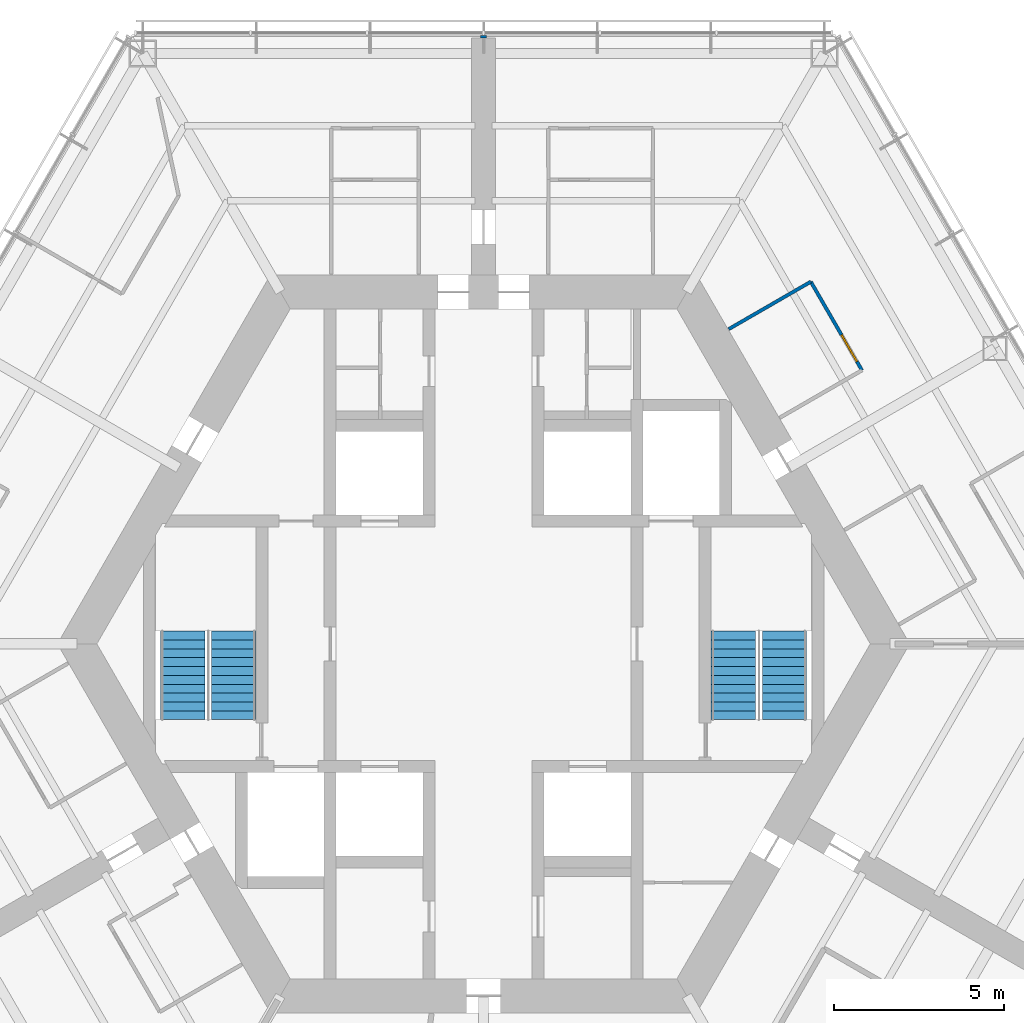
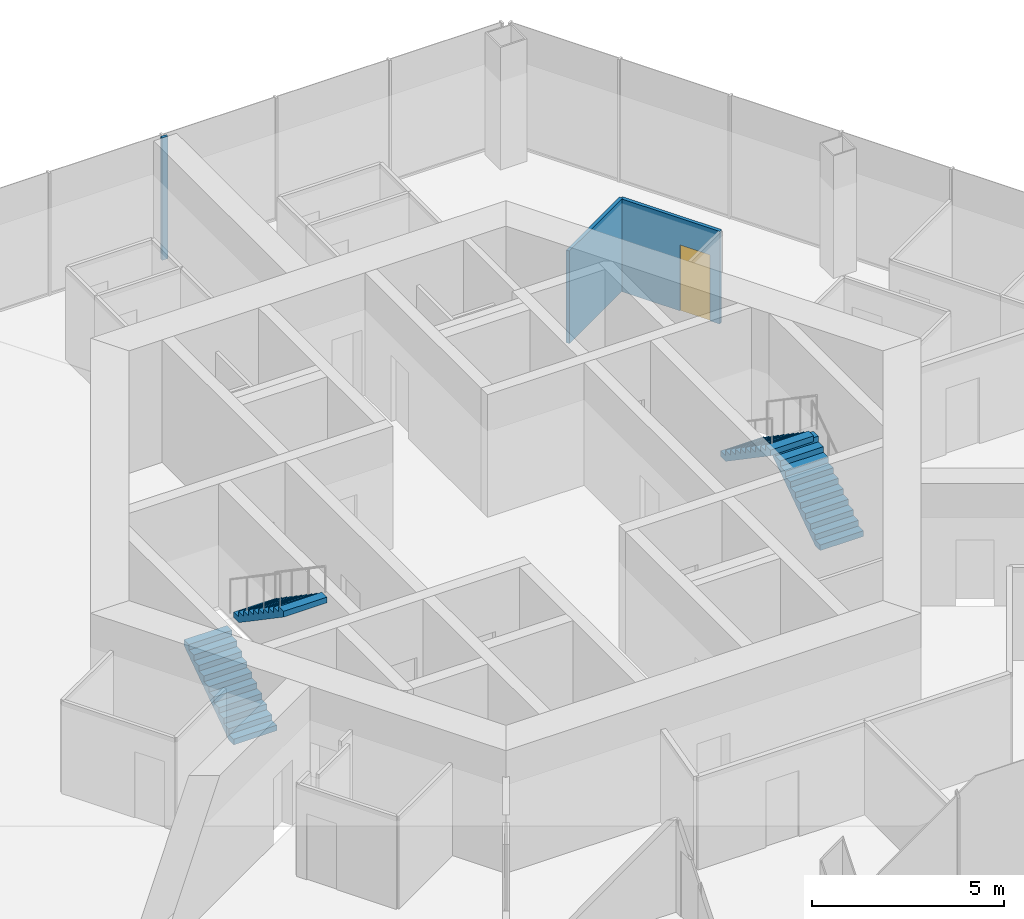
# One storey, part 15 of 18: 4 stair flights, 3 walls, 1 door, 1 opening, 2 elements without a shape of their own.
"""IFC4 building model written with IfcOpenShell, lengths in metres."""

import ifcopenshell
import ifcopenshell.guid

model = None  # the IFC model being written
_history = None  # IfcOwnerHistory: only IFC2X3 demands one
_inside = {}  # id of a spatial element -> (the spatial element, [elements in it])
_under = {}  # id of a project, library or spatial element -> (it, [spatial elements below it])
_declared = {}  # id of a project -> (the project, [libraries it declares])
_typed = {}  # id of a type object -> (the type object, [elements of that type])
_made_of = {}  # id of a material, layer set ... -> (it, [elements and type objects made of it])


def new_model(schema):
    """Start an empty IFC model of exactly this schema.

    Asked for "IFC4X3", IfcOpenShell would pick the latest addendum, in which some entities
    have other attributes; the version numbers below select the first issue.
    IFC2X3 requires an IfcOwnerHistory on every rooted entity: one is made here for all.
    """
    global model, _history
    if schema == "IFC4X3":
        model = ifcopenshell.file(schema_version=(4, 3, 0, 0))
    else:
        model = ifcopenshell.file(schema=schema)
    _inside.clear()
    _under.clear()
    _declared.clear()
    _typed.clear()
    _made_of.clear()
    _history = None
    if model.schema == "IFC2X3":
        org = make("IfcOrganization", Name="unknown")
        user = make(
            "IfcPersonAndOrganization",
            ThePerson=make("IfcPerson", FamilyName="unknown"),
            TheOrganization=org,
        )
        app = make(
            "IfcApplication",
            ApplicationDeveloper=org,
            Version="unknown",
            ApplicationFullName="unknown",
            ApplicationIdentifier="unknown",
        )
        _history = make(
            "IfcOwnerHistory",
            OwningUser=user,
            OwningApplication=app,
            ChangeAction="ADDED",
            CreationDate=0,
        )
    return model


def make(cls, **values):
    """One entity of the class cls with the attributes given. An attribute that is None is left unset."""
    return model.create_entity(
        cls, **{name: value for name, value in values.items() if value is not None}
    )


def rooted(cls, **values):
    """An entity with a GlobalId (a new one), such as an element, a storey or a relation."""
    return make(cls, GlobalId=ifcopenshell.guid.new(), OwnerHistory=_history, **values)


def si_unit(unit_type, name, prefix=None):
    """IfcSIUnit, for example si_unit("LENGTHUNIT", "METRE", prefix="MILLI")."""
    return make("IfcSIUnit", UnitType=unit_type, Prefix=prefix, Name=name)


def assignment(units):
    """IfcUnitAssignment: the units of a project."""
    return None if units is None else make("IfcUnitAssignment", Units=units)


def point(xyz):
    """IfcCartesianPoint."""
    return None if xyz is None else make("IfcCartesianPoint", Coordinates=xyz)


def direction(xyz):
    """IfcDirection."""
    return None if xyz is None else make("IfcDirection", DirectionRatios=xyz)


def frame(location, z_axis=None, x_axis=None):
    """IfcAxis2Placement3D, a coordinate frame: its origin and axes. An axis left out is left unset."""
    return make(
        "IfcAxis2Placement3D",
        Location=point(location),
        Axis=direction(z_axis),
        RefDirection=direction(x_axis),
    )


def frame_2d(location, x_axis=None):
    """IfcAxis2Placement2D, a coordinate frame in the plane: its origin and x axis."""
    return make(
        "IfcAxis2Placement2D", Location=point(location), RefDirection=direction(x_axis)
    )


def origin():
    """The frame at (0, 0, 0) with its axes left unset."""
    return frame((0.0, 0.0, 0.0))


def place(relative_to, where):
    """IfcLocalPlacement: puts the frame where relative to a parent placement (None: the world)."""
    return make(
        "IfcLocalPlacement", PlacementRelTo=relative_to, RelativePlacement=where
    )


def context(
    kind, dimensions, precision=None, world=None, true_north=None, identifier=None
):
    """IfcGeometricRepresentationContext, for example the 3D "Model" context."""
    return make(
        "IfcGeometricRepresentationContext",
        ContextIdentifier=identifier,
        ContextType=kind,
        CoordinateSpaceDimension=dimensions,
        Precision=precision,
        WorldCoordinateSystem=world,
        TrueNorth=true_north,
    )


def subcontext(parent, identifier, kind, view, scale=None):
    """IfcGeometricRepresentationSubContext, for example "Body" below "Model"."""
    return make(
        "IfcGeometricRepresentationSubContext",
        ContextIdentifier=identifier,
        ContextType=kind,
        ParentContext=parent,
        TargetScale=scale,
        TargetView=view,
    )


def project(units=None, contexts=None):
    """IfcProject with its units and contexts."""
    return rooted(
        "IfcProject",
        Name="project",
        RepresentationContexts=contexts,
        UnitsInContext=assignment(units),
    )


def spatial(cls, under=None, at=None, **own):
    """A site, building, storey or space (cls), placed at a placement, below another one or the project."""
    s = rooted(cls, ObjectPlacement=at, **own)
    if under is not None:
        _under.setdefault(under.id(), (under, []))[1].append(s)
    return s


def polyline(points):
    """IfcPolyline through the points."""
    return make("IfcPolyline", Points=[point(p) for p in points])


def profile(cls, at=None, kind="AREA", **sizes):
    """A parametric profile (cls). Its sizes go by their IFC names, for example OverallWidth=200.0."""
    return make(cls, ProfileType=kind, Position=at, **sizes)


def rectangle(**sizes):
    """IfcRectangleProfileDef."""
    return profile("IfcRectangleProfileDef", **sizes)


def outline(outer, holes=None, kind="AREA"):
    """IfcArbitraryClosedProfileDef: a profile drawn as a closed curve; with holes, ...WithVoids."""
    if holes is None:
        return make("IfcArbitraryClosedProfileDef", ProfileType=kind, OuterCurve=outer)
    return make(
        "IfcArbitraryProfileDefWithVoids",
        ProfileType=kind,
        OuterCurve=outer,
        InnerCurves=holes,
    )


def extrude(swept, where, along, depth):
    """IfcExtrudedAreaSolid: the profile swept, set in the frame where, extruded along a direction by depth."""
    return make(
        "IfcExtrudedAreaSolid",
        SweptArea=swept,
        Position=where,
        ExtrudedDirection=direction(along),
        Depth=depth,
    )


def shape(context_of_items, identifier, shape_type, items):
    """IfcShapeRepresentation: the items that make up one representation, for example the "Body"."""
    return make(
        "IfcShapeRepresentation",
        ContextOfItems=context_of_items,
        RepresentationIdentifier=identifier,
        RepresentationType=shape_type,
        Items=items,
    )


def material(Name=None, Category=None):
    """IfcMaterial."""
    return make("IfcMaterial", Name=Name, Category=Category)


def layer(
    of_material, thickness, ventilated=None, Name=None, Category=None, Priority=None
):
    """IfcMaterialLayer: one layer of a wall or slab, of a material (None: an air gap)."""
    return make(
        "IfcMaterialLayer",
        Material=of_material,
        LayerThickness=thickness,
        IsVentilated=ventilated,
        Name=Name,
        Category=Category,
        Priority=Priority,
    )


def layer_set(layers, Name=None):
    """IfcMaterialLayerSet."""
    return make("IfcMaterialLayerSet", MaterialLayers=layers, LayerSetName=Name)


def made_of(thing, what):
    """Note that an element or type object is made of a material, layer set ...; save() writes the relation."""
    if what is not None:
        _made_of.setdefault(what.id(), (what, []))[1].append(thing)
    return thing


def type_object(cls, material=None, **own):
    """A type object (cls), such as IfcWallType, which elements share."""
    return made_of(rooted(cls, **own), material)


def element(
    cls,
    number,
    at=None,
    inside=None,
    cuts=None,
    type_object=None,
    material=None,
    context=None,
    identifier="Body",
    shape_type=None,
    held_by="IfcProductDefinitionShape",
    body=None,
    shapes=None,
    **own,
):
    """One element of the class cls, such as IfcWall. Its Tag is "e" and its number.

    at: its placement. inside: the storey or other place that contains it. cuts: it is an
    opening in that element (IfcRelVoidsElement). A single representation is given by context,
    identifier, shape_type and body (its items); several are given by shapes. held_by: the class
    of the entity that holds the representations. save() writes the other relations.
    """
    e = rooted(cls, Tag="e%d" % number, ObjectPlacement=at, **own)
    if body is not None:
        shapes = [shape(context, identifier, shape_type, body)]
    if shapes is not None:
        e.Representation = make(held_by, Representations=shapes)
    if inside is not None:
        _inside.setdefault(inside.id(), (inside, []))[1].append(e)
    if cuts is not None:
        rooted(
            "IfcRelVoidsElement", RelatingBuildingElement=cuts, RelatedOpeningElement=e
        )
    if type_object is not None:
        _typed.setdefault(type_object.id(), (type_object, []))[1].append(e)
    return made_of(e, material)


def fill(opening, filler):
    """IfcRelFillsElement: the door or window that sits in an opening."""
    return rooted(
        "IfcRelFillsElement",
        RelatingOpeningElement=opening,
        RelatedBuildingElement=filler,
    )


def aggregate(whole, parts):
    """IfcRelAggregates: a whole, such as a stair, and the parts it consists of."""
    return rooted("IfcRelAggregates", RelatingObject=whole, RelatedObjects=parts)


def save(model, path):
    """Write the relations noted so far, then the file.

    IfcRelAggregates (storeys below a building ...), IfcRelContainedInSpatialStructure (elements
    in a storey), IfcRelDefinesByType, IfcRelAssociatesMaterial and IfcRelDeclares: one each for
    every whole, place, type object, material and project.
    """
    for whole, parts in _under.values():
        aggregate(whole, parts)
    for where, things in _inside.values():
        rooted(
            "IfcRelContainedInSpatialStructure",
            RelatedElements=things,
            RelatingStructure=where,
        )
    for kind, things in _typed.values():
        rooted("IfcRelDefinesByType", RelatedObjects=things, RelatingType=kind)
    for what, things in _made_of.values():
        rooted("IfcRelAssociatesMaterial", RelatedObjects=things, RelatingMaterial=what)
    for by, libraries in _declared.values():
        rooted("IfcRelDeclares", RelatingContext=by, RelatedDefinitions=libraries)
    model.write(path)


model = new_model("IFC4")

# Units and contexts
model_context = context("Model", 3, precision=1e-05, world=origin(), true_north=direction((0.0, 1.0)))
body_context = subcontext(model_context, "Body", "Model", "MODEL_VIEW")
ifc_project = project(units=[si_unit("LENGTHUNIT", "METRE"), si_unit("AREAUNIT", "SQUARE_METRE"), si_unit("VOLUMEUNIT", "CUBIC_METRE"), si_unit("PLANEANGLEUNIT", "RADIAN"), si_unit("MASSUNIT", "GRAM", prefix="KILO")], contexts=[model_context])

# Site, building, storey
site_placement = place(None, origin())
site = spatial("IfcSite", under=ifc_project, at=site_placement, CompositionType="ELEMENT")
building_placement = place(site_placement, origin())
building = spatial("IfcBuilding", under=site, at=building_placement, Name="Kasaneha Research Tower", CompositionType="ELEMENT")
storey_placement = place(building_placement, frame((0.0, 0.0, 176.0)))
storey = spatial("IfcBuildingStorey", under=building, at=storey_placement, Name="L44", CompositionType="ELEMENT", Elevation=176.0)

# Wall
ifc_material_1 = material(Name="Gypsum board on steel studs, one layer each side", Category="steel")
ifc_layer_1 = layer(ifc_material_1, 0.10009765625)
ifc_layer_set_1 = layer_set([ifc_layer_1], Name="Office partition 100")
wall_type_1 = type_object("IfcWallType", Name="Office partition 100", PredefinedType="PARTITIONING", material=ifc_layer_set_1)
wall_1_placement = place(storey_placement, frame((7.19189453125, 9.23291015625, 0.0), z_axis=(0.0, 0.0, 1.0), x_axis=(0.866018876994, 0.500011304563, 0.0)))
element("IfcWall", 1, at=wall_1_placement, inside=storey, type_object=wall_type_1, Name="Office partition FAE07 L44", PredefinedType="PARTITIONING", context=body_context, shape_type="SweptSolid", body=[
    extrude(rectangle(XDim=2.7802734375, YDim=0.10009765625, at=frame_2d((1.39013671875, 0.0))), origin(), (0.0, 0.0, 1.0), 2.949951171875),
])

# Wall, opening, door
wall_2_placement = place(storey_placement, frame((9.599609375, 10.623046875, 0.0), z_axis=(0.0, 0.0, 1.0), x_axis=(0.499990139034, -0.866031096941, 0.0)))
wall_2 = element("IfcWall", 2, at=wall_2_placement, inside=storey, type_object=wall_type_1, Name="Office partition FAE08 L44", PredefinedType="PARTITIONING", context=body_context, shape_type="SweptSolid", body=[
    extrude(rectangle(XDim=3.0, YDim=0.10009765625, at=frame_2d((1.5, 0.0))), origin(), (0.0, 0.0, 1.0), 2.949951171875),
])
opening_placement = place(wall_2_placement, frame((1.800048828125, 0.0, 0.0)))
opening = element("IfcOpeningElement", 3, at=opening_placement, cuts=wall_2, Name="Opening L44-D29", PredefinedType="OPENING", context=body_context, shape_type="SweptSolid", body=[
    extrude(rectangle(XDim=0.89990234375, YDim=2.10009765625, at=frame_2d((0.449951171875, 1.050048828125))), frame((0.0, 0.06005859375, 0.0), z_axis=(0.0, -1.0, 0.0), x_axis=(1.0, 0.0, 0.0)), (0.0, 0.0, 1.0), 0.1201171875),
])
ifc_material_2 = material(Name="Timber veneer", Category="wood")
door_type = type_object("IfcDoorType", Name="Office door 900x2100", OperationType="SINGLE_SWING_LEFT", PredefinedType="DOOR", material=ifc_material_2)
door_placement = place(opening_placement, origin())
door = element("IfcDoor", 4, at=door_placement, inside=storey, type_object=door_type, Name="Pantry door L44-D29", OperationType="SINGLE_SWING_RIGHT", OverallHeight=2.10009765625, OverallWidth=0.89990234375, PredefinedType="DOOR", context=body_context, shape_type="SweptSolid", body=[
    extrude(rectangle(XDim=0.89990234375, YDim=2.10009765625, at=frame_2d((0.449951171875, 1.050048828125))), frame((0.0, 0.02490234375, 0.0), z_axis=(0.0, -1.0, 0.0), x_axis=(1.0, 0.0, 0.0)), (0.0, 0.0, 1.0), 0.050048828125),
])
fill(opening, door)

# Wall
ifc_material_3 = material(Name="Gypsum board on steel studs, two layers each side", Category="steel")
ifc_layer_2 = layer(ifc_material_3, 0.175048828125)
ifc_layer_set_2 = layer_set([ifc_layer_2], Name="Tenancy fire partition 175")
wall_type_2 = type_object("IfcWallType", Name="Tenancy fire partition 175", PredefinedType="PARTITIONING", material=ifc_layer_set_2)
wall_3_placement = place(storey_placement, frame((0.0, 17.7705078125, 0.0), z_axis=(0.0, 0.0, 1.0), x_axis=(0.0, 1.0, 0.0)))
element("IfcWall", 5, at=wall_3_placement, inside=storey, type_object=wall_type_2, Name="Spine wall closer SW3-700 L44", PredefinedType="PARTITIONING", context=body_context, shape_type="SweptSolid", body=[
    extrude(rectangle(XDim=0.080078125, YDim=0.175048828125, at=frame_2d((0.0400390625, 0.0))), origin(), (0.0, 0.0, 1.0), 3.89990234375),
])

# Stair, stair flights
ifc_material_4 = material(Name="Concrete Fc24", Category="concrete")
stair_type = type_object("IfcStairType", Name="Half-turn stair 22 risers", PredefinedType="HALF_TURN_STAIR", material=ifc_material_4)
stair_1_placement = place(storey_placement, origin())
stair_1 = element("IfcStair", 6, at=stair_1_placement, inside=storey, type_object=stair_type, Name="Stair 1 L44", PredefinedType="HALF_TURN_STAIR")
ifc_material_5 = material(Name="Concrete Fc24", Category="concrete")
stair_flight_type = type_object("IfcStairFlightType", Name="Stair flight 11 risers 177.3", PredefinedType="STRAIGHT", material=ifc_material_5)
stair_flight_1_placement = place(storey_placement, frame((8.824951171875, -2.22509765625, 0.0), z_axis=(0.0, 0.0, 1.0), x_axis=(0.0, 1.0, 0.0)))
stair_flight_1 = element("IfcStairFlight", 7, at=stair_flight_1_placement, type_object=stair_flight_type, Name="ST1-22R flight 1", NumberOfRisers=11, NumberOfTreads=10, PredefinedType="STRAIGHT", RiserHeight=0.177272727, TreadLength=0.26, context=body_context, shape_type="SweptSolid", body=[
    extrude(outline(polyline([(0.0, 0.0), (0.0, 0.17724609375), (0.260009765625, 0.17724609375), (0.260009765625, 0.3544921875), (0.52001953125, 0.3544921875), (0.52001953125, 0.53173828125), (0.780029296875, 0.53173828125), (0.780029296875, 0.708984375), (1.0400390625, 0.708984375), (1.0400390625, 0.886474609375), (1.300048828125, 0.886474609375), (1.300048828125, 1.063720703125), (1.56005859375, 1.063720703125), (1.56005859375, 1.240966796875), (1.820068359375, 1.240966796875), (1.820068359375, 1.418212890625), (2.080078125, 1.418212890625), (2.080078125, 1.595458984375), (2.340087890625, 1.595458984375), (2.340087890625, 1.772705078125), (2.60009765625, 1.772705078125), (2.60009765625, 1.949951171875), (2.60009765625, 1.59130859375), (0.26611328125, 0.0), (0.0, 0.0)])), frame((0.0, 0.64990234375, 0.0), z_axis=(0.0, -1.0, 0.0), x_axis=(1.0, 0.0, 0.0)), (0.0, 0.0, 1.0), 1.300048828125),
])
stair_flight_2_placement = place(storey_placement, frame((7.324951171875, 0.375, 1.949951171875), z_axis=(0.0, 0.0, 1.0), x_axis=(0.0, -1.0, 0.0)))
stair_flight_2 = element("IfcStairFlight", 8, at=stair_flight_2_placement, type_object=stair_flight_type, Name="ST1-22R flight 2", NumberOfRisers=11, NumberOfTreads=10, PredefinedType="STRAIGHT", RiserHeight=0.177272727, TreadLength=0.26, context=body_context, shape_type="SweptSolid", body=[
    extrude(outline(polyline([(0.0, 0.0), (0.0, 0.17724609375), (0.260009765625, 0.17724609375), (0.260009765625, 0.3544921875), (0.52001953125, 0.3544921875), (0.52001953125, 0.53173828125), (0.780029296875, 0.53173828125), (0.780029296875, 0.708984375), (1.0400390625, 0.708984375), (1.0400390625, 0.886474609375), (1.300048828125, 0.886474609375), (1.300048828125, 1.063720703125), (1.56005859375, 1.063720703125), (1.56005859375, 1.240966796875), (1.820068359375, 1.240966796875), (1.820068359375, 1.418212890625), (2.080078125, 1.418212890625), (2.080078125, 1.595458984375), (2.340087890625, 1.595458984375), (2.340087890625, 1.772705078125), (2.60009765625, 1.772705078125), (2.60009765625, 1.949951171875), (2.60009765625, 1.59130859375), (0.26611328125, 0.0), (0.0, 0.0)])), frame((0.0, 0.64990234375, 0.0), z_axis=(0.0, -1.0, 0.0), x_axis=(1.0, 0.0, 0.0)), (0.0, 0.0, 1.0), 1.300048828125),
])
aggregate(stair_1, [stair_flight_1, stair_flight_2])

stair_2_placement = place(storey_placement, origin())
stair_2 = element("IfcStair", 9, at=stair_2_placement, inside=storey, type_object=stair_type, Name="Stair 2 L44", PredefinedType="HALF_TURN_STAIR")
stair_flight_3_placement = place(storey_placement, frame((-8.824951171875, -2.22509765625, 0.0), z_axis=(0.0, 0.0, 1.0), x_axis=(0.0, 1.0, 0.0)))
stair_flight_3 = element("IfcStairFlight", 10, at=stair_flight_3_placement, type_object=stair_flight_type, Name="ST2-22R flight 1", NumberOfRisers=11, NumberOfTreads=10, PredefinedType="STRAIGHT", RiserHeight=0.177272727, TreadLength=0.26, context=body_context, shape_type="SweptSolid", body=[
    extrude(outline(polyline([(0.0, 0.0), (0.0, 0.17724609375), (0.260009765625, 0.17724609375), (0.260009765625, 0.3544921875), (0.52001953125, 0.3544921875), (0.52001953125, 0.53173828125), (0.780029296875, 0.53173828125), (0.780029296875, 0.708984375), (1.0400390625, 0.708984375), (1.0400390625, 0.886474609375), (1.300048828125, 0.886474609375), (1.300048828125, 1.063720703125), (1.56005859375, 1.063720703125), (1.56005859375, 1.240966796875), (1.820068359375, 1.240966796875), (1.820068359375, 1.418212890625), (2.080078125, 1.418212890625), (2.080078125, 1.595458984375), (2.340087890625, 1.595458984375), (2.340087890625, 1.772705078125), (2.60009765625, 1.772705078125), (2.60009765625, 1.949951171875), (2.60009765625, 1.59130859375), (0.26611328125, 0.0), (0.0, 0.0)])), frame((0.0, 0.64990234375, 0.0), z_axis=(0.0, -1.0, 0.0), x_axis=(1.0, 0.0, 0.0)), (0.0, 0.0, 1.0), 1.300048828125),
])
stair_flight_4_placement = place(storey_placement, frame((-7.324951171875, 0.375, 1.949951171875), z_axis=(0.0, 0.0, 1.0), x_axis=(0.0, -1.0, 0.0)))
stair_flight_4 = element("IfcStairFlight", 11, at=stair_flight_4_placement, type_object=stair_flight_type, Name="ST2-22R flight 2", NumberOfRisers=11, NumberOfTreads=10, PredefinedType="STRAIGHT", RiserHeight=0.177272727, TreadLength=0.26, context=body_context, shape_type="SweptSolid", body=[
    extrude(outline(polyline([(0.0, 0.0), (0.0, 0.17724609375), (0.260009765625, 0.17724609375), (0.260009765625, 0.3544921875), (0.52001953125, 0.3544921875), (0.52001953125, 0.53173828125), (0.780029296875, 0.53173828125), (0.780029296875, 0.708984375), (1.0400390625, 0.708984375), (1.0400390625, 0.886474609375), (1.300048828125, 0.886474609375), (1.300048828125, 1.063720703125), (1.56005859375, 1.063720703125), (1.56005859375, 1.240966796875), (1.820068359375, 1.240966796875), (1.820068359375, 1.418212890625), (2.080078125, 1.418212890625), (2.080078125, 1.595458984375), (2.340087890625, 1.595458984375), (2.340087890625, 1.772705078125), (2.60009765625, 1.772705078125), (2.60009765625, 1.949951171875), (2.60009765625, 1.59130859375), (0.26611328125, 0.0), (0.0, 0.0)])), frame((0.0, 0.64990234375, 0.0), z_axis=(0.0, -1.0, 0.0), x_axis=(1.0, 0.0, 0.0)), (0.0, 0.0, 1.0), 1.300048828125),
])
aggregate(stair_2, [stair_flight_3, stair_flight_4])

save(model, "model.ifc")
